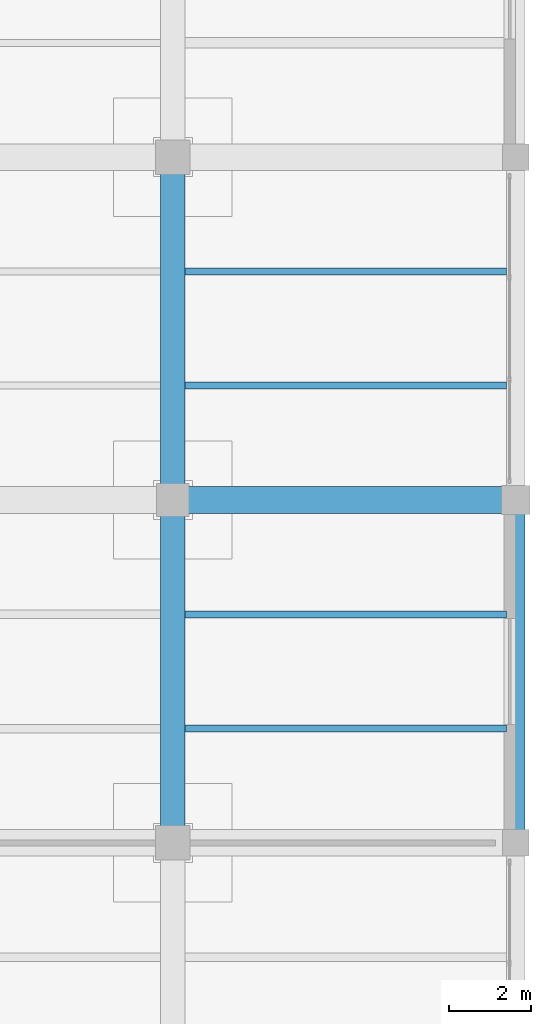
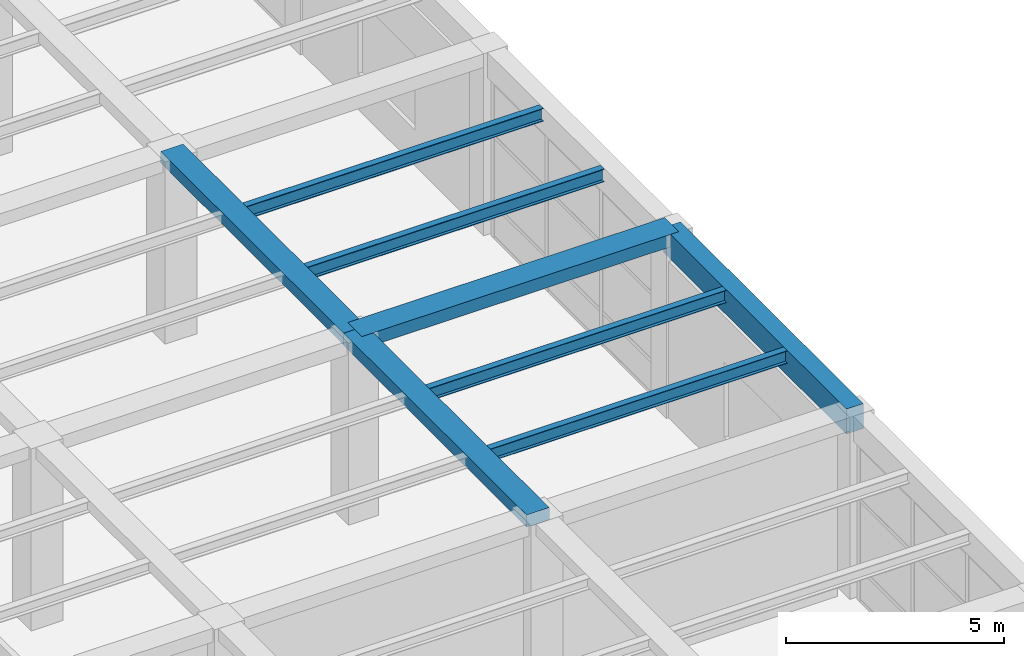
# One storey, part 57 of 96: 8 beams.
"""IFC4 building model written with IfcOpenShell, lengths in metres."""

from ifc_helpers import new_model, si_unit, direction, frame, origin, origin_2d, place, context, subcontext, project, spatial, rectangle, i_section, extrude, material, material_profile, profile_set, type_object, element, save


model = new_model("IFC4")

# Units and contexts
model_context = context("Model", 3, precision=1e-05, world=origin(), true_north=direction((0.0, 1.0)))
body_context = subcontext(model_context, "Body", "Model", "MODEL_VIEW")
ifc_project = project(units=[si_unit("LENGTHUNIT", "METRE"), si_unit("AREAUNIT", "SQUARE_METRE"), si_unit("VOLUMEUNIT", "CUBIC_METRE"), si_unit("PLANEANGLEUNIT", "RADIAN"), si_unit("MASSUNIT", "GRAM", prefix="KILO")], contexts=[model_context])

# Site, building, storey
site_placement = place(None, origin())
site = spatial("IfcSite", under=ifc_project, at=site_placement, CompositionType="ELEMENT")
building_placement = place(site_placement, origin())
building = spatial("IfcBuilding", under=site, at=building_placement, Name="Almacenes y Pasaje Nevantli", CompositionType="ELEMENT")
storey_placement = place(building_placement, frame((0.0, 0.0, 6.0)))
storey = spatial("IfcBuildingStorey", under=building, at=storey_placement, Name="L02", CompositionType="ELEMENT", Elevation=6.0)

# Beams
ifc_material_1 = material(Name="Concrete C35/45", Category="concrete")
ifc_material_profile_1 = material_profile(ifc_material_1, rectangle(XDim=0.449951171875, YDim=0.699951171875, at=origin_2d()), Name="RC-BM-450x700")
ifc_profile_set_1 = profile_set([ifc_material_profile_1], Name="Concrete C35/45")
beam_type_1 = type_object("IfcBeamType", Name="BM-RC-450x700", PredefinedType="SPANDREL", material=ifc_profile_set_1)
beam_1_placement = place(storey_placement, frame((168.0, 75.60009765625, 4.75), z_axis=(0.0, 1.0, 0.0), x_axis=(-1.0, 0.0, 0.0)))
element("IfcBeam", 1, at=beam_1_placement, inside=storey, type_object=beam_type_1, Name="L02 North-South Reinforced Concrete Beam #2198", PredefinedType="SPANDREL", context=body_context, shape_type="SweptSolid", body=[
    extrude(rectangle(XDim=0.449951171875, YDim=0.699951171875, at=origin_2d()), origin(), (0.0, 0.0, 1.0), 8.39990234375),
])
ifc_material_2 = material(Name="Concrete C35/45", Category="concrete")
ifc_material_profile_2 = material_profile(ifc_material_2, rectangle(XDim=0.60009765625, YDim=0.320068359375, at=origin_2d()), Name="RC-BM-600x320")
ifc_profile_set_2 = profile_set([ifc_material_profile_2], Name="Concrete C35/45")
beam_type_2 = type_object("IfcBeamType", Name="BM-RC-600x320", PredefinedType="BEAM", material=ifc_profile_set_2)
beam_2_placement = place(storey_placement, frame((159.60009765625, 84.0, 4.93994140625), z_axis=(0.0, 1.0, 0.0), x_axis=(-1.0, 0.0, 0.0)))
element("IfcBeam", 2, at=beam_2_placement, inside=storey, type_object=beam_type_2, Name="L02 North-South Reinforced Concrete Beam #2185", PredefinedType="BEAM", context=body_context, shape_type="SweptSolid", body=[
    extrude(rectangle(XDim=0.60009765625, YDim=0.320068359375, at=origin_2d()), origin(), (0.0, 0.0, 1.0), 8.39990234375),
])
ifc_material_3 = material(Name="Concrete C35/45", Category="concrete")
ifc_material_profile_3 = material_profile(ifc_material_3, rectangle(XDim=0.60009765625, YDim=0.340087890625, at=origin_2d()), Name="RC-BM-600x340")
ifc_profile_set_3 = profile_set([ifc_material_profile_3], Name="Concrete C35/45")
beam_type_3 = type_object("IfcBeamType", Name="BM-RC-600x340", PredefinedType="BEAM", material=ifc_profile_set_3)
beam_3_placement = place(storey_placement, frame((159.60009765625, 75.60009765625, 4.929931640625), z_axis=(0.0, 1.0, 0.0), x_axis=(-1.0, 0.0, 0.0)))
element("IfcBeam", 3, at=beam_3_placement, inside=storey, type_object=beam_type_3, Name="L02 North-South Reinforced Concrete Beam #2184", PredefinedType="BEAM", context=body_context, shape_type="SweptSolid", body=[
    extrude(rectangle(XDim=0.60009765625, YDim=0.340087890625, at=origin_2d()), origin(), (0.0, 0.0, 1.0), 8.39990234375),
])
ifc_material_4 = material(Name="Concrete C35/45", Category="concrete")
ifc_material_profile_4 = material_profile(ifc_material_4, rectangle(XDim=0.64990234375, YDim=0.35009765625, at=origin_2d()), Name="RC-BM-650x350")
ifc_profile_set_4 = profile_set([ifc_material_profile_4], Name="Concrete C35/45")
beam_type_4 = type_object("IfcBeamType", Name="BM-RC-650x350", PredefinedType="BEAM", material=ifc_profile_set_4)
beam_4_placement = place(storey_placement, frame((159.60009765625, 84.0, 4.925048828125), z_axis=(1.0, 0.0, 0.0), x_axis=(0.0, 1.0, 0.0)))
element("IfcBeam", 4, at=beam_4_placement, inside=storey, type_object=beam_type_4, Name="L02 East-West Reinforced Concrete Beam #1894", PredefinedType="BEAM", context=body_context, shape_type="SweptSolid", body=[
    extrude(rectangle(XDim=0.64990234375, YDim=0.35009765625, at=origin_2d()), origin(), (0.0, 0.0, 1.0), 8.39990234375),
])
ifc_material_5 = material(Name="Steel ASTM A992", Category="steel")
ifc_material_profile_5 = material_profile(ifc_material_5, i_section(OverallWidth=0.173095703125, OverallDepth=0.35302734375, WebThickness=0.0078125, FlangeThickness=0.01318359375, at=origin_2d()), Name="IR 356x56.6")
ifc_profile_set_5 = profile_set([ifc_material_profile_5], Name="Steel ASTM A992")
beam_type_5 = type_object("IfcBeamType", Name="BM-STL-IR-356x56p6", PredefinedType="JOIST", material=ifc_profile_set_5)
for number, where, z_axis, x_axis, name in (
    (5, (159.89990234375, 78.39990234375, 4.91552734375), (1.0, 0.0, 0.0), (0.0, 1.0, 0.0), "L02 Secondary Steel Floor Joist #667"),
    (6, (159.89990234375, 81.199951171875, 4.91552734375), (1.0, 0.0, 0.0), (0.0, 1.0, 0.0), "L02 Secondary Steel Floor Joist #668"),
):
    element("IfcBeam", number, at=place(storey_placement, frame(where, z_axis=z_axis, x_axis=x_axis)), inside=storey, type_object=beam_type_5, Name=name, PredefinedType="JOIST", context=body_context, shape_type="SweptSolid", body=[
        extrude(i_section(OverallWidth=0.173095703125, OverallDepth=0.35302734375, WebThickness=0.0078125, FlangeThickness=0.01318359375, at=origin_2d()), origin(), (0.0, 0.0, 1.0), 7.875),
    ])
ifc_material_6 = material(Name="Steel ASTM A992", Category="steel")
ifc_material_profile_6 = material_profile(ifc_material_6, i_section(OverallWidth=0.173095703125, OverallDepth=0.364013671875, WebThickness=0.009033203125, FlangeThickness=0.015625, at=origin_2d()), Name="IR 356x67.0")
ifc_profile_set_6 = profile_set([ifc_material_profile_6], Name="Steel ASTM A992")
beam_type_6 = type_object("IfcBeamType", Name="BM-STL-IR-356x67p0", PredefinedType="JOIST", material=ifc_profile_set_6)
for number, where, z_axis, x_axis, name in (
    (7, (159.89990234375, 86.800048828125, 4.909912109375), (1.0, 0.0, 0.0), (0.0, 1.0, 0.0), "L02 Secondary Steel Floor Joist #669"),
    (8, (159.89990234375, 89.60009765625, 4.909912109375), (1.0, 0.0, 0.0), (0.0, 1.0, 0.0), "L02 Secondary Steel Floor Joist #670"),
):
    element("IfcBeam", number, at=place(storey_placement, frame(where, z_axis=z_axis, x_axis=x_axis)), inside=storey, type_object=beam_type_6, Name=name, PredefinedType="JOIST", context=body_context, shape_type="SweptSolid", body=[
        extrude(i_section(OverallWidth=0.173095703125, OverallDepth=0.364013671875, WebThickness=0.009033203125, FlangeThickness=0.015625, at=origin_2d()), origin(), (0.0, 0.0, 1.0), 7.875),
    ])

save(model, "model.ifc")
